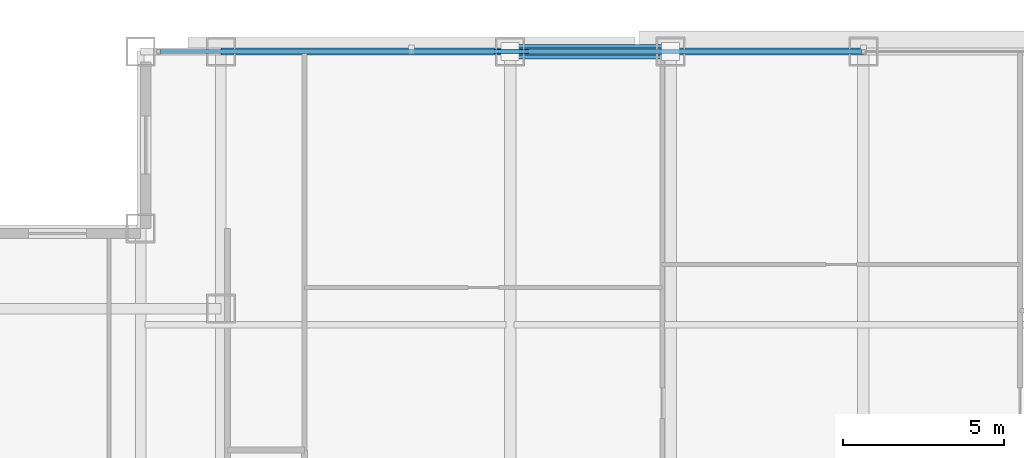
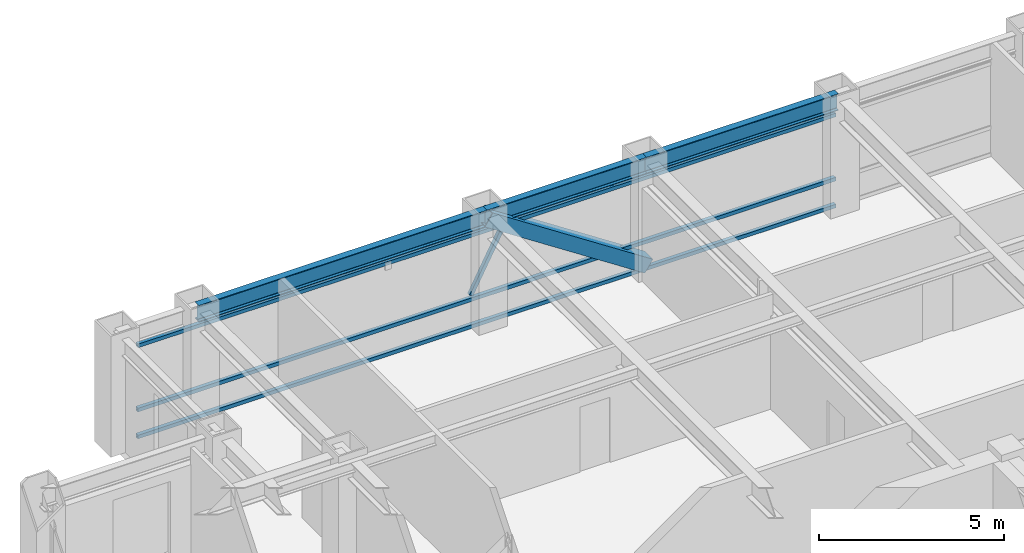
# One storey, part 13 of 27: 5 members, 3 beams, 1 element without a shape of its own.
"""IFC4 building model written with IfcOpenShell, lengths in metres."""

from ifc_helpers import new_model, si_unit, direction, frame, origin, origin_2d, place, context, subcontext, project, spatial, hollow_rectangle, i_section, extrude, source, transform, mapped, material, material_profile, profile_set, type_object, element, aggregate, save


model = new_model("IFC4")

# Units and contexts
model_context = context("Model", 3, precision=1e-05, world=origin(), true_north=direction((0.0, 1.0)))
body_context = subcontext(model_context, "Body", "Model", "MODEL_VIEW")
ifc_project = project(units=[si_unit("LENGTHUNIT", "METRE"), si_unit("AREAUNIT", "SQUARE_METRE"), si_unit("VOLUMEUNIT", "CUBIC_METRE"), si_unit("PLANEANGLEUNIT", "RADIAN"), si_unit("MASSUNIT", "GRAM", prefix="KILO")], contexts=[model_context])

# Site, building, storey
site_placement = place(None, origin())
site = spatial("IfcSite", under=ifc_project, at=site_placement, CompositionType="ELEMENT")
building_placement = place(site_placement, origin())
building = spatial("IfcBuilding", under=site, at=building_placement, Name="Khorayat Bourse Tower", CompositionType="ELEMENT")
storey_placement = place(building_placement, frame((0.0, 0.0, 281.5)))
storey = spatial("IfcBuildingStorey", under=building, at=storey_placement, Name="L66", CompositionType="ELEMENT", Elevation=281.5)

# Member
ifc_material_1 = material(Name="Steel EN 10025-4 S460M", Category="steel")
ifc_material_profile_1 = material_profile(ifc_material_1, hollow_rectangle(XDim=0.449951171875, YDim=0.449951171875, WallThickness=0.02490234375, at=origin_2d()), Name="HSS 450x450x25")
ifc_profile_set_1 = profile_set([ifc_material_profile_1], Name="Steel EN 10025-4 S460M")
member_type_1 = type_object("IfcMemberType", Name="MBR-TUBE-450", PredefinedType="BRACE", material=ifc_profile_set_1)
shared_shape_1 = source(origin(), body_context, "Body", "SweptSolid", [
    extrude(hollow_rectangle(XDim=0.449951171875, YDim=0.449951171875, WallThickness=0.02490234375, at=origin_2d()), origin(), (0.0, 0.0, 1.0), 5.979736328125),
])
member_1_placement = place(storey_placement, frame((-11.0, 28.0, 3.530029296875), z_axis=(0.836141536525, 0.0, -0.548513747227), x_axis=(0.0, 1.0, 0.0)))
element("IfcMember", 1, at=member_1_placement, inside=storey, type_object=member_type_1, Name="L66 Perimeter Tube Brace 03", PredefinedType="BRACE", context=body_context, shape_type="MappedRepresentation", body=[
    mapped(shared_shape_1, transform((0.0, 0.0, 0.0), scale=1.0)),
])

# Beams
ifc_material_2 = material(Name="Steel ASTM A992 Grade 50", Category="steel")
ifc_material_profile_2 = material_profile(ifc_material_2, i_section(OverallWidth=0.214111328125, OverallDepth=0.549072265625, WebThickness=0.0146484375, FlangeThickness=0.023681640625, FilletRadius=0.013916015625, at=origin_2d()), Name="W530X138")
ifc_profile_set_2 = profile_set([ifc_material_profile_2], Name="Steel ASTM A992 Grade 50")
beam_type = type_object("IfcBeamType", Name="BM-SPAN-530", PredefinedType="SPANDREL", material=ifc_profile_set_2)
shared_shape_2 = source(origin(), body_context, "Body", "SweptSolid", [
    extrude(i_section(OverallWidth=0.214111328125, OverallDepth=0.549072265625, WebThickness=0.0146484375, FlangeThickness=0.023681640625, FilletRadius=0.013916015625, at=origin_2d()), origin(), (0.0, 0.0, 1.0), 9.0),
])
beam_1_placement = place(storey_placement, frame((-20.0, 28.0, 3.505615234375), z_axis=(1.0, 0.0, 0.0), x_axis=(0.0, 1.0, 0.0)))
element("IfcBeam", 2, at=beam_1_placement, inside=storey, type_object=beam_type, Name="L66 BM-SPAN-530 BM-L66-SPN-050", PredefinedType="SPANDREL", context=body_context, shape_type="MappedRepresentation", body=[
    mapped(shared_shape_2, transform((0.0, 0.0, 0.0), scale=1.0)),
])
shared_shape_3 = source(origin(), body_context, "Body", "SweptSolid", [
    extrude(i_section(OverallWidth=0.214111328125, OverallDepth=0.549072265625, WebThickness=0.0146484375, FlangeThickness=0.023681640625, FilletRadius=0.013916015625, at=origin_2d()), origin(), (0.0, 0.0, 1.0), 5.0),
])
beam_2_placement = place(storey_placement, frame((-11.0, 28.0, 3.505615234375), z_axis=(1.0, 0.0, 0.0), x_axis=(0.0, 1.0, 0.0)))
element("IfcBeam", 3, at=beam_2_placement, inside=storey, type_object=beam_type, Name="L66 BM-SPAN-530 BM-L66-SPN-049", PredefinedType="SPANDREL", context=body_context, shape_type="MappedRepresentation", body=[
    mapped(shared_shape_3, transform((0.0, 0.0, 0.0), scale=1.0)),
])
shared_shape_4 = source(origin(), body_context, "Body", "SweptSolid", [
    extrude(i_section(OverallWidth=0.214111328125, OverallDepth=0.549072265625, WebThickness=0.0146484375, FlangeThickness=0.023681640625, FilletRadius=0.013916015625, at=origin_2d()), origin(), (0.0, 0.0, 1.0), 6.0),
])
beam_3_placement = place(storey_placement, frame((-6.0, 28.0, 3.505615234375), z_axis=(1.0, 0.0, 0.0), x_axis=(0.0, 1.0, 0.0)))
element("IfcBeam", 4, at=beam_3_placement, inside=storey, type_object=beam_type, Name="L66 BM-SPAN-530 BM-L66-SPN-048", PredefinedType="SPANDREL", context=body_context, shape_type="MappedRepresentation", body=[
    mapped(shared_shape_4, transform((0.0, 0.0, 0.0), scale=1.0)),
])

# Curtain wall, members
ifc_material_3 = material(Name="Aluminium EN AW-6063 T6", Category="aluminium")
curtain_wall_type = type_object("IfcCurtainWallType", Name="CW-SYS-04", PredefinedType="NOTDEFINED", material=ifc_material_3)
curtain_wall_placement = place(storey_placement, origin())
curtain_wall = element("IfcCurtainWall", 5, at=curtain_wall_placement, inside=storey, type_object=curtain_wall_type, Name="L66 Curtain Wall CW-L66-N1", PredefinedType="NOTDEFINED")
ifc_material_profile_3 = material_profile(ifc_material_3, hollow_rectangle(XDim=0.1201171875, YDim=0.1201171875, WallThickness=0.0048828125, at=origin_2d()), Name="ALU 120x120x5")
ifc_profile_set_3 = profile_set([ifc_material_profile_3], Name="Aluminium EN AW-6063 T6")
member_type_2 = type_object("IfcMemberType", Name="CWM-DIAG-120", PredefinedType="MULLION", material=ifc_profile_set_3)
shared_shape_5 = source(origin(), body_context, "Body", "SweptSolid", [
    extrude(hollow_rectangle(XDim=0.1201171875, YDim=0.1201171875, WallThickness=0.0048828125, at=origin_2d()), origin(), (0.0, 0.0, 1.0), 2.0791015625),
])
member_2_placement = place(storey_placement, frame((-11.4541015625, 28.0, 1.090087890625), z_axis=(0.465717394116, 0.0, 0.884933505309), x_axis=(0.0, 1.0, 0.0)))
member_2 = element("IfcMember", 6, at=member_2_placement, type_object=member_type_2, Name="CW-L66-N1 Faceted Diagonal Mullion 1", PredefinedType="MULLION", context=body_context, shape_type="MappedRepresentation", body=[
    mapped(shared_shape_5, transform((0.0, 0.0, 0.0), scale=1.0)),
])
ifc_material_profile_4 = material_profile(ifc_material_3, hollow_rectangle(XDim=0.1201171875, YDim=0.1201171875, WallThickness=0.0048828125, at=origin_2d()), Name="ALU 120x120x5")
ifc_profile_set_4 = profile_set([ifc_material_profile_4], Name="Aluminium EN AW-6063 T6")
member_type_3 = type_object("IfcMemberType", Name="CWT-HORZ-120", PredefinedType="USERDEFINED", material=ifc_profile_set_4)
shared_shape_6 = source(origin(), body_context, "Body", "SweptSolid", [
    extrude(hollow_rectangle(XDim=0.1201171875, YDim=0.1201171875, WallThickness=0.0048828125, at=origin_2d()), origin(), (0.0, 0.0, 1.0), 21.81982421875),
])
member_3_placement = place(storey_placement, frame((-21.8798828125, 28.0, 0.06005859375), z_axis=(1.0, 0.0, 0.0), x_axis=(0.0, 1.0, 0.0)))
member_3 = element("IfcMember", 7, at=member_3_placement, type_object=member_type_3, Name="CW-L66-N1 Horizontal Transom 1-1", ObjectType="TRANSOM", PredefinedType="USERDEFINED", context=body_context, shape_type="MappedRepresentation", body=[
    mapped(shared_shape_6, transform((0.0, 0.0, 0.0), scale=1.0)),
])
member_4_placement = place(storey_placement, frame((-21.8798828125, 28.0, 0.949951171875), z_axis=(1.0, 0.0, 0.0), x_axis=(0.0, 1.0, 0.0)))
member_4 = element("IfcMember", 8, at=member_4_placement, type_object=member_type_3, Name="CW-L66-N1 Horizontal Transom 1-2", ObjectType="TRANSOM", PredefinedType="USERDEFINED", context=body_context, shape_type="MappedRepresentation", body=[
    mapped(shared_shape_6, transform((0.0, 0.0, 0.0), scale=1.0)),
])
member_5_placement = place(storey_placement, frame((-21.8798828125, 28.0, 3.070068359375), z_axis=(1.0, 0.0, 0.0), x_axis=(0.0, 1.0, 0.0)))
member_5 = element("IfcMember", 9, at=member_5_placement, type_object=member_type_3, Name="CW-L66-N1 Horizontal Transom 1-3", ObjectType="TRANSOM", PredefinedType="USERDEFINED", context=body_context, shape_type="MappedRepresentation", body=[
    mapped(shared_shape_6, transform((0.0, 0.0, 0.0), scale=1.0)),
])
aggregate(curtain_wall, [member_3, member_4, member_5, member_2])

save(model, "model.ifc")
